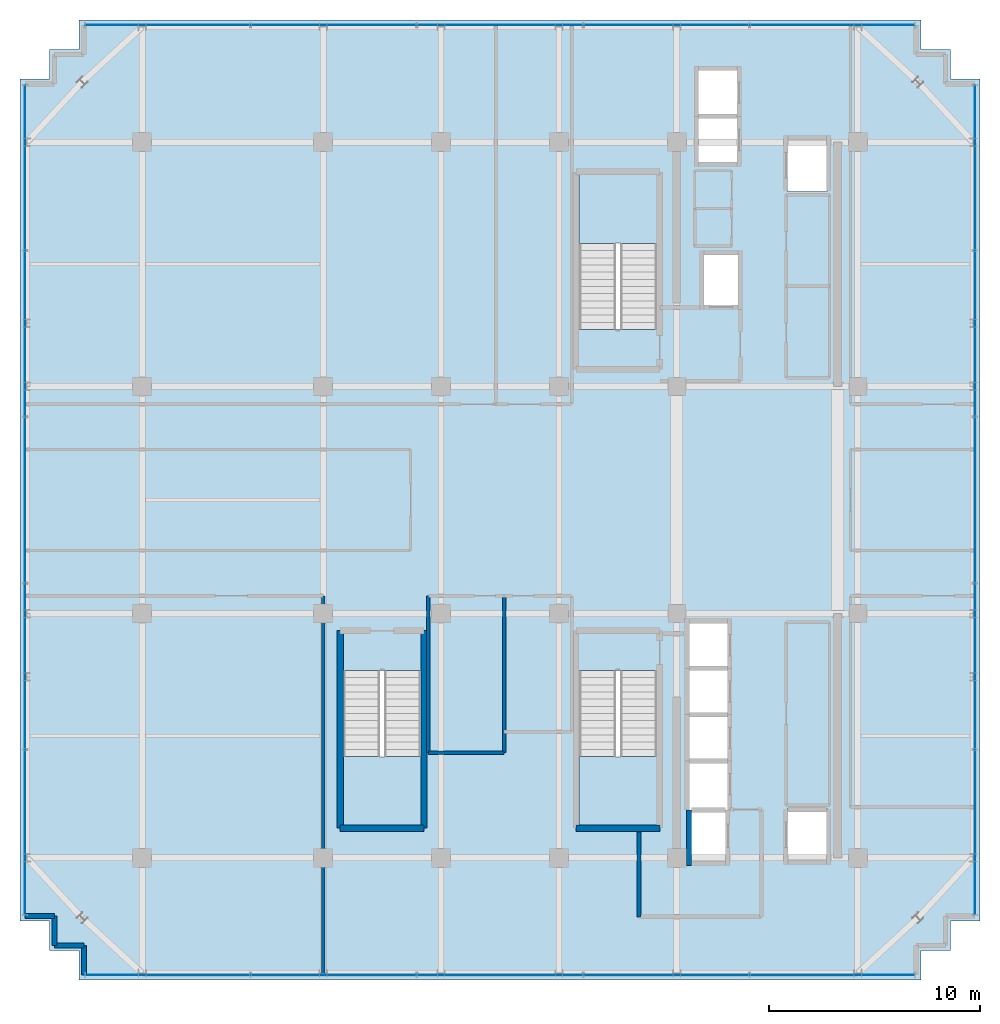
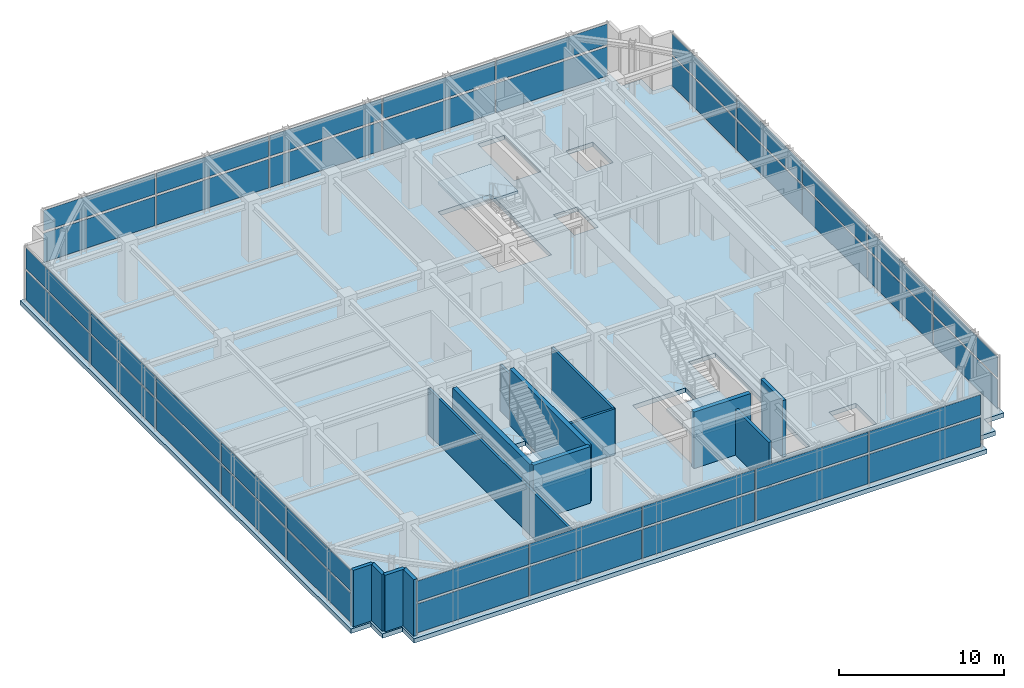
# One storey, part 16 of 20: 40 plates, 14 walls, 4 slabs, 7 elements without a shape of their own.
"""IFC4 building model written with IfcOpenShell, lengths in metres."""

from ifc_helpers import new_model, si_unit, direction, frame, frame_2d, origin, origin_2d, place, context, subcontext, project, spatial, polyline, rectangle, outline, extrude, source, transform, mapped, material, layer, layer_set, type_object, element, aggregate, save


model = new_model("IFC4")

# Units and contexts
model_context = context("Model", 3, precision=1e-05, world=origin(), true_north=direction((0.0, 1.0)))
body_context = subcontext(model_context, "Body", "Model", "MODEL_VIEW")
ifc_project = project(units=[si_unit("LENGTHUNIT", "METRE"), si_unit("AREAUNIT", "SQUARE_METRE"), si_unit("VOLUMEUNIT", "CUBIC_METRE"), si_unit("PLANEANGLEUNIT", "RADIAN"), si_unit("MASSUNIT", "GRAM", prefix="KILO")], contexts=[model_context])

# Site, building, storey
site_placement = place(None, origin())
site = spatial("IfcSite", under=ifc_project, at=site_placement, CompositionType="ELEMENT")
building_placement = place(site_placement, origin())
building = spatial("IfcBuilding", under=site, at=building_placement, Name="Nahalor Promenade Grand Hotel", CompositionType="ELEMENT")
storey_placement = place(building_placement, frame((0.0, 0.0, 347.550048828125)))
storey = spatial("IfcBuildingStorey", under=building, at=storey_placement, Name="L89", CompositionType="ELEMENT", Elevation=347.550048828125)

# Stair, slab
ifc_material_1 = material(Name="Concrete B-50 (C40/50)", Category="concrete")
stair_type_1 = type_object("IfcStairType", Name="Stair-ST1", PredefinedType="HALF_TURN_STAIR", material=ifc_material_1)
stair_1_placement = place(storey_placement, origin())
stair_1 = element("IfcStair", 1, at=stair_1_placement, inside=storey, type_object=stair_type_1, Name="L89 ST1", PredefinedType="HALF_TURN_STAIR")
ifc_layer_1 = layer(ifc_material_1, 0.199951171875)
ifc_layer_set_1 = layer_set([ifc_layer_1], Name="Concrete B-50 (C40/50)")
slab_type_1 = type_object("IfcSlabType", Name="Landing-ST1", PredefinedType="LANDING", material=ifc_layer_set_1)
slab_1_placement = place(storey_placement, frame((0.0, 0.0, 2.050048828125)))
slab_1 = element("IfcSlab", 2, at=slab_1_placement, type_object=slab_type_1, Name="ST1 landing 1", PredefinedType="LANDING", context=body_context, shape_type="SweptSolid", body=[
    extrude(outline(polyline([(7.449951171875, 12.179931640625), (7.449951171875, 15.449951171875), (3.75, 15.449951171875), (3.75, 12.179931640625), (7.449951171875, 12.179931640625)])), origin(), (0.0, 0.0, 1.0), 0.199951171875),
])
aggregate(stair_1, [slab_1])

stair_type_2 = type_object("IfcStairType", Name="Stair-ST2", PredefinedType="HALF_TURN_STAIR", material=ifc_material_1)
stair_2_placement = place(storey_placement, origin())
stair_2 = element("IfcStair", 3, at=stair_2_placement, inside=storey, type_object=stair_type_2, Name="L89 ST2", PredefinedType="HALF_TURN_STAIR")
ifc_layer_2 = layer(ifc_material_1, 0.2099609375)
ifc_layer_set_2 = layer_set([ifc_layer_2], Name="Concrete B-50 (C40/50)")
slab_type_2 = type_object("IfcSlabType", Name="Landing-ST2", PredefinedType="LANDING", material=ifc_layer_set_2)
slab_2_placement = place(storey_placement, frame((0.0, 0.0, 2.0400390625)))
slab_2 = element("IfcSlab", 4, at=slab_2_placement, type_object=slab_type_2, Name="ST2 landing 1", PredefinedType="LANDING", context=body_context, shape_type="SweptSolid", body=[
    extrude(outline(polyline([(3.75, -12.179931640625), (3.75, -15.449951171875), (7.449951171875, -15.449951171875), (7.449951171875, -12.179931640625), (3.75, -12.179931640625)])), origin(), (0.0, 0.0, 1.0), 0.2099609375),
])
aggregate(stair_2, [slab_2])

stair_type_3 = type_object("IfcStairType", Name="Stair-ST3", PredefinedType="HALF_TURN_STAIR", material=ifc_material_1)
stair_3_placement = place(storey_placement, origin())
stair_3 = element("IfcStair", 5, at=stair_3_placement, inside=storey, type_object=stair_type_3, Name="L89 ST3", PredefinedType="HALF_TURN_STAIR")
ifc_layer_3 = layer(ifc_material_1, 0.219970703125)
ifc_layer_set_3 = layer_set([ifc_layer_3], Name="Concrete B-50 (C40/50)")
slab_type_3 = type_object("IfcSlabType", Name="Landing-ST3", PredefinedType="LANDING", material=ifc_layer_set_3)
slab_3_placement = place(storey_placement, frame((0.0, 0.0, 2.030029296875)))
slab_3 = element("IfcSlab", 6, at=slab_3_placement, type_object=slab_type_3, Name="ST3 landing 1", PredefinedType="LANDING", context=body_context, shape_type="SweptSolid", body=[
    extrude(outline(polyline([(-7.449951171875, -12.179931640625), (-7.449951171875, -15.449951171875), (-3.75, -15.449951171875), (-3.75, -12.179931640625), (-7.449951171875, -12.179931640625)])), origin(), (0.0, 0.0, 1.0), 0.219970703125),
])
aggregate(stair_3, [slab_3])

# Slab
ifc_layer_4 = layer(ifc_material_1, 0.330078125)
ifc_layer_set_4 = layer_set([ifc_layer_4], Name="Concrete B-50 (C40/50)")
slab_type_4 = type_object("IfcSlabType", Name="Slab-Observation-330", PredefinedType="FLOOR", material=ifc_layer_set_4)
slab_4_placement = place(storey_placement, frame((0.0, 0.0, -0.330078125)))
element("IfcSlab", 7, at=slab_4_placement, inside=storey, type_object=slab_type_4, Name="L89 Suspended Structural Floor Slab", PredefinedType="FLOOR", context=body_context, shape_type="SweptSolid", body=[
    extrude(outline(polyline([(-20.0, -22.800048828125), (20.0, -22.800048828125), (20.0, -21.39990234375), (21.39990234375, -21.39990234375), (21.39990234375, -20.0), (22.800048828125, -20.0), (22.800048828125, 20.0), (21.39990234375, 20.0), (21.39990234375, 21.39990234375), (20.0, 21.39990234375), (20.0, 22.800048828125), (-20.0, 22.800048828125), (-20.0, 21.39990234375), (-21.39990234375, 21.39990234375), (-21.39990234375, 20.0), (-22.800048828125, 20.0), (-22.800048828125, -20.0), (-21.39990234375, -20.0), (-21.39990234375, -21.39990234375), (-20.0, -21.39990234375), (-20.0, -22.800048828125)]), holes=[polyline([(3.75, 8.10009765625), (7.449951171875, 8.10009765625), (7.449951171875, 15.449951171875), (3.75, 15.449951171875), (3.75, 8.10009765625)]), polyline([(3.75, -15.449951171875), (7.449951171875, -15.449951171875), (7.449951171875, -8.10009765625), (3.75, -8.10009765625), (3.75, -15.449951171875)]), polyline([(-7.449951171875, -15.449951171875), (-3.75, -15.449951171875), (-3.75, -8.10009765625), (-7.449951171875, -8.10009765625), (-7.449951171875, -15.449951171875)]), polyline([(8.9599609375, -17.18994140625), (10.840087890625, -17.18994140625), (10.840087890625, -5.81005859375), (8.9599609375, -5.81005859375), (8.9599609375, -17.18994140625)]), polyline([(9.409912109375, 16.010009765625), (11.2900390625, 16.010009765625), (11.2900390625, 20.43994140625), (9.409912109375, 20.43994140625), (9.409912109375, 16.010009765625)]), polyline([(9.659912109375, 9.2099609375), (11.340087890625, 9.2099609375), (11.340087890625, 11.68994140625), (9.659912109375, 11.68994140625), (9.659912109375, 9.2099609375)]), polyline([(13.659912109375, 14.659912109375), (15.5400390625, 14.659912109375), (15.5400390625, 17.139892578125), (13.659912109375, 17.139892578125), (13.659912109375, 14.659912109375)]), polyline([(13.659912109375, -17.139892578125), (15.5400390625, -17.139892578125), (15.5400390625, -14.659912109375), (13.659912109375, -14.659912109375), (13.659912109375, -17.139892578125)])]), origin(), (0.0, 0.0, 1.0), 0.330078125),
])

# Curtain wall, plates
ifc_material_2 = material(Name="Anodised Bronze Aluminium EN AW-6063 T6", Category="aluminium")
curtain_wall_type = type_object("IfcCurtainWallType", Name="CW5 Sky-Lobby & Observation Panoramic Curtain Wall", PredefinedType="USERDEFINED", material=ifc_material_2)
curtain_wall_1_placement = place(storey_placement, origin())
curtain_wall_1 = element("IfcCurtainWall", 8, at=curtain_wall_1_placement, inside=storey, type_object=curtain_wall_type, Name="L89 Curtain Wall CW-L89-S-1", ObjectType="UNITISED_CURTAIN_WALL", PredefinedType="USERDEFINED")
ifc_material_3 = material(Name="Low-E Laminated Solar Glass", Category="glass")
ifc_layer_5 = layer(ifc_material_3, 0.035888671875)
ifc_layer_set_5 = layer_set([ifc_layer_5], Name="Low-E Laminated Solar Glass")
plate_type = type_object("IfcPlateType", Name="CWP5 Observation Acoustic Triple IGU 36mm", PredefinedType="CURTAIN_PANEL", material=ifc_layer_set_5)
shared_shape_1 = source(origin(), body_context, "Body", "SweptSolid", [
    extrude(rectangle(XDim=7.776611328125, YDim=0.035888671875, at=origin_2d()), origin(), (0.0, 0.0, 1.0), 2.14501953125),
])
plate_1_placement = place(storey_placement, frame((-15.786865234375, -22.56005859375, 0.169921875), z_axis=(0.0, 0.0, 1.0), x_axis=(1.0, 0.0, 0.0)))
plate_1 = element("IfcPlate", 9, at=plate_1_placement, type_object=plate_type, Name="CW-L89-S-1 Glazing Panel 0-0", PredefinedType="CURTAIN_PANEL", context=body_context, shape_type="MappedRepresentation", body=[
    mapped(shared_shape_1, transform((0.0, 0.0, 0.0), scale=1.0)),
])
plate_2_placement = place(storey_placement, frame((15.786865234375, -22.56005859375, 0.169921875), z_axis=(0.0, 0.0, 1.0), x_axis=(1.0, 0.0, 0.0)))
plate_2 = element("IfcPlate", 10, at=plate_2_placement, type_object=plate_type, Name="CW-L89-S-1 Glazing Panel 4-0", PredefinedType="CURTAIN_PANEL", context=body_context, shape_type="MappedRepresentation", body=[
    mapped(shared_shape_1, transform((0.0, 0.0, 0.0), scale=1.0)),
])

curtain_wall_2_placement = place(storey_placement, origin())
curtain_wall_2 = element("IfcCurtainWall", 11, at=curtain_wall_2_placement, inside=storey, type_object=curtain_wall_type, Name="L89 Curtain Wall CW-L89-N-1", ObjectType="UNITISED_CURTAIN_WALL", PredefinedType="USERDEFINED")
plate_3_placement = place(storey_placement, frame((-15.786865234375, 22.56005859375, 0.169921875), z_axis=(0.0, 0.0, 1.0), x_axis=(1.0, 0.0, 0.0)))
plate_3 = element("IfcPlate", 12, at=plate_3_placement, type_object=plate_type, Name="CW-L89-N-1 Glazing Panel 0-0", PredefinedType="CURTAIN_PANEL", context=body_context, shape_type="MappedRepresentation", body=[
    mapped(shared_shape_1, transform((0.0, 0.0, 0.0), scale=1.0)),
])
plate_4_placement = place(storey_placement, frame((15.786865234375, 22.56005859375, 0.169921875), z_axis=(0.0, 0.0, 1.0), x_axis=(1.0, 0.0, 0.0)))
plate_4 = element("IfcPlate", 13, at=plate_4_placement, type_object=plate_type, Name="CW-L89-N-1 Glazing Panel 4-0", PredefinedType="CURTAIN_PANEL", context=body_context, shape_type="MappedRepresentation", body=[
    mapped(shared_shape_1, transform((0.0, 0.0, 0.0), scale=1.0)),
])

curtain_wall_3_placement = place(storey_placement, origin())
curtain_wall_3 = element("IfcCurtainWall", 14, at=curtain_wall_3_placement, inside=storey, type_object=curtain_wall_type, Name="L89 Curtain Wall CW-L89-W-1", ObjectType="UNITISED_CURTAIN_WALL", PredefinedType="USERDEFINED")
plate_5_placement = place(storey_placement, frame((-22.56005859375, -15.786865234375, 0.169921875), z_axis=(0.0, 0.0, 1.0), x_axis=(0.0, 1.0, 0.0)))
plate_5 = element("IfcPlate", 15, at=plate_5_placement, type_object=plate_type, Name="CW-L89-W-1 Glazing Panel 0-0", PredefinedType="CURTAIN_PANEL", context=body_context, shape_type="MappedRepresentation", body=[
    mapped(shared_shape_1, transform((0.0, 0.0, 0.0), scale=1.0)),
])
plate_6_placement = place(storey_placement, frame((-22.56005859375, 15.786865234375, 0.169921875), z_axis=(0.0, 0.0, 1.0), x_axis=(0.0, 1.0, 0.0)))
plate_6 = element("IfcPlate", 16, at=plate_6_placement, type_object=plate_type, Name="CW-L89-W-1 Glazing Panel 4-0", PredefinedType="CURTAIN_PANEL", context=body_context, shape_type="MappedRepresentation", body=[
    mapped(shared_shape_1, transform((0.0, 0.0, 0.0), scale=1.0)),
])

curtain_wall_4_placement = place(storey_placement, origin())
curtain_wall_4 = element("IfcCurtainWall", 17, at=curtain_wall_4_placement, inside=storey, type_object=curtain_wall_type, Name="L89 Curtain Wall CW-L89-E-1", ObjectType="UNITISED_CURTAIN_WALL", PredefinedType="USERDEFINED")
plate_7_placement = place(storey_placement, frame((22.56005859375, -15.786865234375, 0.169921875), z_axis=(0.0, 0.0, 1.0), x_axis=(0.0, 1.0, 0.0)))
plate_7 = element("IfcPlate", 18, at=plate_7_placement, type_object=plate_type, Name="CW-L89-E-1 Glazing Panel 0-0", PredefinedType="CURTAIN_PANEL", context=body_context, shape_type="MappedRepresentation", body=[
    mapped(shared_shape_1, transform((0.0, 0.0, 0.0), scale=1.0)),
])
plate_8_placement = place(storey_placement, frame((22.56005859375, 15.786865234375, 0.169921875), z_axis=(0.0, 0.0, 1.0), x_axis=(0.0, 1.0, 0.0)))
plate_8 = element("IfcPlate", 19, at=plate_8_placement, type_object=plate_type, Name="CW-L89-E-1 Glazing Panel 4-0", PredefinedType="CURTAIN_PANEL", context=body_context, shape_type="MappedRepresentation", body=[
    mapped(shared_shape_1, transform((0.0, 0.0, 0.0), scale=1.0)),
])

# Plate
shared_shape_2 = source(origin(), body_context, "Body", "SweptSolid", [
    extrude(rectangle(XDim=7.776611328125, YDim=0.035888671875, at=origin_2d()), origin(), (0.0, 0.0, 1.0), 1.514892578125),
])
plate_9_placement = place(storey_placement, frame((-15.786865234375, -22.56005859375, 2.48486328125), z_axis=(0.0, 0.0, 1.0), x_axis=(1.0, 0.0, 0.0)))
plate_9 = element("IfcPlate", 20, at=plate_9_placement, type_object=plate_type, Name="CW-L89-S-1 Glazing Panel 0-1", PredefinedType="CURTAIN_PANEL", context=body_context, shape_type="MappedRepresentation", body=[
    mapped(shared_shape_2, transform((0.0, 0.0, 0.0), scale=1.0)),
])

plate_10_placement = place(storey_placement, frame((15.786865234375, -22.56005859375, 2.48486328125), z_axis=(0.0, 0.0, 1.0), x_axis=(1.0, 0.0, 0.0)))
plate_10 = element("IfcPlate", 21, at=plate_10_placement, type_object=plate_type, Name="CW-L89-S-1 Glazing Panel 4-1", PredefinedType="CURTAIN_PANEL", context=body_context, shape_type="MappedRepresentation", body=[
    mapped(shared_shape_2, transform((0.0, 0.0, 0.0), scale=1.0)),
])

plate_11_placement = place(storey_placement, frame((-15.786865234375, 22.56005859375, 2.48486328125), z_axis=(0.0, 0.0, 1.0), x_axis=(1.0, 0.0, 0.0)))
plate_11 = element("IfcPlate", 22, at=plate_11_placement, type_object=plate_type, Name="CW-L89-N-1 Glazing Panel 0-1", PredefinedType="CURTAIN_PANEL", context=body_context, shape_type="MappedRepresentation", body=[
    mapped(shared_shape_2, transform((0.0, 0.0, 0.0), scale=1.0)),
])

plate_12_placement = place(storey_placement, frame((15.786865234375, 22.56005859375, 2.48486328125), z_axis=(0.0, 0.0, 1.0), x_axis=(1.0, 0.0, 0.0)))
plate_12 = element("IfcPlate", 23, at=plate_12_placement, type_object=plate_type, Name="CW-L89-N-1 Glazing Panel 4-1", PredefinedType="CURTAIN_PANEL", context=body_context, shape_type="MappedRepresentation", body=[
    mapped(shared_shape_2, transform((0.0, 0.0, 0.0), scale=1.0)),
])

plate_13_placement = place(storey_placement, frame((-22.56005859375, -15.786865234375, 2.48486328125), z_axis=(0.0, 0.0, 1.0), x_axis=(0.0, 1.0, 0.0)))
plate_13 = element("IfcPlate", 24, at=plate_13_placement, type_object=plate_type, Name="CW-L89-W-1 Glazing Panel 0-1", PredefinedType="CURTAIN_PANEL", context=body_context, shape_type="MappedRepresentation", body=[
    mapped(shared_shape_2, transform((0.0, 0.0, 0.0), scale=1.0)),
])

plate_14_placement = place(storey_placement, frame((-22.56005859375, 15.786865234375, 2.48486328125), z_axis=(0.0, 0.0, 1.0), x_axis=(0.0, 1.0, 0.0)))
plate_14 = element("IfcPlate", 25, at=plate_14_placement, type_object=plate_type, Name="CW-L89-W-1 Glazing Panel 4-1", PredefinedType="CURTAIN_PANEL", context=body_context, shape_type="MappedRepresentation", body=[
    mapped(shared_shape_2, transform((0.0, 0.0, 0.0), scale=1.0)),
])

plate_15_placement = place(storey_placement, frame((22.56005859375, -15.786865234375, 2.48486328125), z_axis=(0.0, 0.0, 1.0), x_axis=(0.0, 1.0, 0.0)))
plate_15 = element("IfcPlate", 26, at=plate_15_placement, type_object=plate_type, Name="CW-L89-E-1 Glazing Panel 0-1", PredefinedType="CURTAIN_PANEL", context=body_context, shape_type="MappedRepresentation", body=[
    mapped(shared_shape_2, transform((0.0, 0.0, 0.0), scale=1.0)),
])

plate_16_placement = place(storey_placement, frame((22.56005859375, 15.786865234375, 2.48486328125), z_axis=(0.0, 0.0, 1.0), x_axis=(0.0, 1.0, 0.0)))
plate_16 = element("IfcPlate", 27, at=plate_16_placement, type_object=plate_type, Name="CW-L89-E-1 Glazing Panel 4-1", PredefinedType="CURTAIN_PANEL", context=body_context, shape_type="MappedRepresentation", body=[
    mapped(shared_shape_2, transform((0.0, 0.0, 0.0), scale=1.0)),
])

shared_shape_3 = source(origin(), body_context, "Body", "SweptSolid", [
    extrude(rectangle(XDim=7.819091796875, YDim=0.035888671875, at=origin_2d()), origin(), (0.0, 0.0, 1.0), 2.14501953125),
])
plate_17_placement = place(storey_placement, frame((-7.904052734375, -22.56005859375, 0.169921875), z_axis=(0.0, 0.0, 1.0), x_axis=(1.0, 0.0, 0.0)))
plate_17 = element("IfcPlate", 28, at=plate_17_placement, type_object=plate_type, Name="CW-L89-S-1 Glazing Panel 1-0", PredefinedType="CURTAIN_PANEL", context=body_context, shape_type="MappedRepresentation", body=[
    mapped(shared_shape_3, transform((0.0, 0.0, 0.0), scale=1.0)),
])

plate_18_placement = place(storey_placement, frame((0.0, -22.56005859375, 0.169921875), z_axis=(0.0, 0.0, 1.0), x_axis=(1.0, 0.0, 0.0)))
plate_18 = element("IfcPlate", 29, at=plate_18_placement, type_object=plate_type, Name="CW-L89-S-1 Glazing Panel 2-0", PredefinedType="CURTAIN_PANEL", context=body_context, shape_type="MappedRepresentation", body=[
    mapped(shared_shape_3, transform((0.0, 0.0, 0.0), scale=1.0)),
])

plate_19_placement = place(storey_placement, frame((7.904052734375, -22.56005859375, 0.169921875), z_axis=(0.0, 0.0, 1.0), x_axis=(1.0, 0.0, 0.0)))
plate_19 = element("IfcPlate", 30, at=plate_19_placement, type_object=plate_type, Name="CW-L89-S-1 Glazing Panel 3-0", PredefinedType="CURTAIN_PANEL", context=body_context, shape_type="MappedRepresentation", body=[
    mapped(shared_shape_3, transform((0.0, 0.0, 0.0), scale=1.0)),
])

plate_20_placement = place(storey_placement, frame((-7.904052734375, 22.56005859375, 0.169921875), z_axis=(0.0, 0.0, 1.0), x_axis=(1.0, 0.0, 0.0)))
plate_20 = element("IfcPlate", 31, at=plate_20_placement, type_object=plate_type, Name="CW-L89-N-1 Glazing Panel 1-0", PredefinedType="CURTAIN_PANEL", context=body_context, shape_type="MappedRepresentation", body=[
    mapped(shared_shape_3, transform((0.0, 0.0, 0.0), scale=1.0)),
])

plate_21_placement = place(storey_placement, frame((0.0, 22.56005859375, 0.169921875), z_axis=(0.0, 0.0, 1.0), x_axis=(1.0, 0.0, 0.0)))
plate_21 = element("IfcPlate", 32, at=plate_21_placement, type_object=plate_type, Name="CW-L89-N-1 Glazing Panel 2-0", PredefinedType="CURTAIN_PANEL", context=body_context, shape_type="MappedRepresentation", body=[
    mapped(shared_shape_3, transform((0.0, 0.0, 0.0), scale=1.0)),
])

plate_22_placement = place(storey_placement, frame((7.904052734375, 22.56005859375, 0.169921875), z_axis=(0.0, 0.0, 1.0), x_axis=(1.0, 0.0, 0.0)))
plate_22 = element("IfcPlate", 33, at=plate_22_placement, type_object=plate_type, Name="CW-L89-N-1 Glazing Panel 3-0", PredefinedType="CURTAIN_PANEL", context=body_context, shape_type="MappedRepresentation", body=[
    mapped(shared_shape_3, transform((0.0, 0.0, 0.0), scale=1.0)),
])

plate_23_placement = place(storey_placement, frame((-22.56005859375, -7.904052734375, 0.169921875), z_axis=(0.0, 0.0, 1.0), x_axis=(0.0, 1.0, 0.0)))
plate_23 = element("IfcPlate", 34, at=plate_23_placement, type_object=plate_type, Name="CW-L89-W-1 Glazing Panel 1-0", PredefinedType="CURTAIN_PANEL", context=body_context, shape_type="MappedRepresentation", body=[
    mapped(shared_shape_3, transform((0.0, 0.0, 0.0), scale=1.0)),
])

plate_24_placement = place(storey_placement, frame((-22.56005859375, 0.0, 0.169921875), z_axis=(0.0, 0.0, 1.0), x_axis=(0.0, 1.0, 0.0)))
plate_24 = element("IfcPlate", 35, at=plate_24_placement, type_object=plate_type, Name="CW-L89-W-1 Glazing Panel 2-0", PredefinedType="CURTAIN_PANEL", context=body_context, shape_type="MappedRepresentation", body=[
    mapped(shared_shape_3, transform((0.0, 0.0, 0.0), scale=1.0)),
])

plate_25_placement = place(storey_placement, frame((-22.56005859375, 7.904052734375, 0.169921875), z_axis=(0.0, 0.0, 1.0), x_axis=(0.0, 1.0, 0.0)))
plate_25 = element("IfcPlate", 36, at=plate_25_placement, type_object=plate_type, Name="CW-L89-W-1 Glazing Panel 3-0", PredefinedType="CURTAIN_PANEL", context=body_context, shape_type="MappedRepresentation", body=[
    mapped(shared_shape_3, transform((0.0, 0.0, 0.0), scale=1.0)),
])

plate_26_placement = place(storey_placement, frame((22.56005859375, -7.904052734375, 0.169921875), z_axis=(0.0, 0.0, 1.0), x_axis=(0.0, 1.0, 0.0)))
plate_26 = element("IfcPlate", 37, at=plate_26_placement, type_object=plate_type, Name="CW-L89-E-1 Glazing Panel 1-0", PredefinedType="CURTAIN_PANEL", context=body_context, shape_type="MappedRepresentation", body=[
    mapped(shared_shape_3, transform((0.0, 0.0, 0.0), scale=1.0)),
])

plate_27_placement = place(storey_placement, frame((22.56005859375, 0.0, 0.169921875), z_axis=(0.0, 0.0, 1.0), x_axis=(0.0, 1.0, 0.0)))
plate_27 = element("IfcPlate", 38, at=plate_27_placement, type_object=plate_type, Name="CW-L89-E-1 Glazing Panel 2-0", PredefinedType="CURTAIN_PANEL", context=body_context, shape_type="MappedRepresentation", body=[
    mapped(shared_shape_3, transform((0.0, 0.0, 0.0), scale=1.0)),
])

plate_28_placement = place(storey_placement, frame((22.56005859375, 7.904052734375, 0.169921875), z_axis=(0.0, 0.0, 1.0), x_axis=(0.0, 1.0, 0.0)))
plate_28 = element("IfcPlate", 39, at=plate_28_placement, type_object=plate_type, Name="CW-L89-E-1 Glazing Panel 3-0", PredefinedType="CURTAIN_PANEL", context=body_context, shape_type="MappedRepresentation", body=[
    mapped(shared_shape_3, transform((0.0, 0.0, 0.0), scale=1.0)),
])

shared_shape_4 = source(origin(), body_context, "Body", "SweptSolid", [
    extrude(rectangle(XDim=7.819091796875, YDim=0.035888671875, at=origin_2d()), origin(), (0.0, 0.0, 1.0), 1.514892578125),
])
plate_29_placement = place(storey_placement, frame((-7.904052734375, -22.56005859375, 2.48486328125), z_axis=(0.0, 0.0, 1.0), x_axis=(1.0, 0.0, 0.0)))
plate_29 = element("IfcPlate", 40, at=plate_29_placement, type_object=plate_type, Name="CW-L89-S-1 Glazing Panel 1-1", PredefinedType="CURTAIN_PANEL", context=body_context, shape_type="MappedRepresentation", body=[
    mapped(shared_shape_4, transform((0.0, 0.0, 0.0), scale=1.0)),
])

plate_30_placement = place(storey_placement, frame((0.0, -22.56005859375, 2.48486328125), z_axis=(0.0, 0.0, 1.0), x_axis=(1.0, 0.0, 0.0)))
plate_30 = element("IfcPlate", 41, at=plate_30_placement, type_object=plate_type, Name="CW-L89-S-1 Glazing Panel 2-1", PredefinedType="CURTAIN_PANEL", context=body_context, shape_type="MappedRepresentation", body=[
    mapped(shared_shape_4, transform((0.0, 0.0, 0.0), scale=1.0)),
])

plate_31_placement = place(storey_placement, frame((7.904052734375, -22.56005859375, 2.48486328125), z_axis=(0.0, 0.0, 1.0), x_axis=(1.0, 0.0, 0.0)))
plate_31 = element("IfcPlate", 42, at=plate_31_placement, type_object=plate_type, Name="CW-L89-S-1 Glazing Panel 3-1", PredefinedType="CURTAIN_PANEL", context=body_context, shape_type="MappedRepresentation", body=[
    mapped(shared_shape_4, transform((0.0, 0.0, 0.0), scale=1.0)),
])

aggregate(curtain_wall_1, [plate_1, plate_9, plate_17, plate_29, plate_18, plate_30, plate_19, plate_31, plate_2, plate_10])

plate_32_placement = place(storey_placement, frame((-7.904052734375, 22.56005859375, 2.48486328125), z_axis=(0.0, 0.0, 1.0), x_axis=(1.0, 0.0, 0.0)))
plate_32 = element("IfcPlate", 43, at=plate_32_placement, type_object=plate_type, Name="CW-L89-N-1 Glazing Panel 1-1", PredefinedType="CURTAIN_PANEL", context=body_context, shape_type="MappedRepresentation", body=[
    mapped(shared_shape_4, transform((0.0, 0.0, 0.0), scale=1.0)),
])

plate_33_placement = place(storey_placement, frame((0.0, 22.56005859375, 2.48486328125), z_axis=(0.0, 0.0, 1.0), x_axis=(1.0, 0.0, 0.0)))
plate_33 = element("IfcPlate", 44, at=plate_33_placement, type_object=plate_type, Name="CW-L89-N-1 Glazing Panel 2-1", PredefinedType="CURTAIN_PANEL", context=body_context, shape_type="MappedRepresentation", body=[
    mapped(shared_shape_4, transform((0.0, 0.0, 0.0), scale=1.0)),
])

plate_34_placement = place(storey_placement, frame((7.904052734375, 22.56005859375, 2.48486328125), z_axis=(0.0, 0.0, 1.0), x_axis=(1.0, 0.0, 0.0)))
plate_34 = element("IfcPlate", 45, at=plate_34_placement, type_object=plate_type, Name="CW-L89-N-1 Glazing Panel 3-1", PredefinedType="CURTAIN_PANEL", context=body_context, shape_type="MappedRepresentation", body=[
    mapped(shared_shape_4, transform((0.0, 0.0, 0.0), scale=1.0)),
])

aggregate(curtain_wall_2, [plate_3, plate_11, plate_20, plate_32, plate_21, plate_33, plate_22, plate_34, plate_4, plate_12])

plate_35_placement = place(storey_placement, frame((-22.56005859375, -7.904052734375, 2.48486328125), z_axis=(0.0, 0.0, 1.0), x_axis=(0.0, 1.0, 0.0)))
plate_35 = element("IfcPlate", 46, at=plate_35_placement, type_object=plate_type, Name="CW-L89-W-1 Glazing Panel 1-1", PredefinedType="CURTAIN_PANEL", context=body_context, shape_type="MappedRepresentation", body=[
    mapped(shared_shape_4, transform((0.0, 0.0, 0.0), scale=1.0)),
])

plate_36_placement = place(storey_placement, frame((-22.56005859375, 0.0, 2.48486328125), z_axis=(0.0, 0.0, 1.0), x_axis=(0.0, 1.0, 0.0)))
plate_36 = element("IfcPlate", 47, at=plate_36_placement, type_object=plate_type, Name="CW-L89-W-1 Glazing Panel 2-1", PredefinedType="CURTAIN_PANEL", context=body_context, shape_type="MappedRepresentation", body=[
    mapped(shared_shape_4, transform((0.0, 0.0, 0.0), scale=1.0)),
])

plate_37_placement = place(storey_placement, frame((-22.56005859375, 7.904052734375, 2.48486328125), z_axis=(0.0, 0.0, 1.0), x_axis=(0.0, 1.0, 0.0)))
plate_37 = element("IfcPlate", 48, at=plate_37_placement, type_object=plate_type, Name="CW-L89-W-1 Glazing Panel 3-1", PredefinedType="CURTAIN_PANEL", context=body_context, shape_type="MappedRepresentation", body=[
    mapped(shared_shape_4, transform((0.0, 0.0, 0.0), scale=1.0)),
])

aggregate(curtain_wall_3, [plate_5, plate_13, plate_23, plate_35, plate_24, plate_36, plate_25, plate_37, plate_6, plate_14])

plate_38_placement = place(storey_placement, frame((22.56005859375, -7.904052734375, 2.48486328125), z_axis=(0.0, 0.0, 1.0), x_axis=(0.0, 1.0, 0.0)))
plate_38 = element("IfcPlate", 49, at=plate_38_placement, type_object=plate_type, Name="CW-L89-E-1 Glazing Panel 1-1", PredefinedType="CURTAIN_PANEL", context=body_context, shape_type="MappedRepresentation", body=[
    mapped(shared_shape_4, transform((0.0, 0.0, 0.0), scale=1.0)),
])

plate_39_placement = place(storey_placement, frame((22.56005859375, 0.0, 2.48486328125), z_axis=(0.0, 0.0, 1.0), x_axis=(0.0, 1.0, 0.0)))
plate_39 = element("IfcPlate", 50, at=plate_39_placement, type_object=plate_type, Name="CW-L89-E-1 Glazing Panel 2-1", PredefinedType="CURTAIN_PANEL", context=body_context, shape_type="MappedRepresentation", body=[
    mapped(shared_shape_4, transform((0.0, 0.0, 0.0), scale=1.0)),
])

plate_40_placement = place(storey_placement, frame((22.56005859375, 7.904052734375, 2.48486328125), z_axis=(0.0, 0.0, 1.0), x_axis=(0.0, 1.0, 0.0)))
plate_40 = element("IfcPlate", 51, at=plate_40_placement, type_object=plate_type, Name="CW-L89-E-1 Glazing Panel 3-1", PredefinedType="CURTAIN_PANEL", context=body_context, shape_type="MappedRepresentation", body=[
    mapped(shared_shape_4, transform((0.0, 0.0, 0.0), scale=1.0)),
])

aggregate(curtain_wall_4, [plate_7, plate_15, plate_26, plate_38, plate_27, plate_39, plate_28, plate_40, plate_8, plate_16])

# Walls
ifc_layer_6 = layer(ifc_material_1, 0.300048828125)
ifc_layer_set_6 = layer_set([ifc_layer_6], Name="Concrete B-50 (C40/50)")
wall_type_1 = type_object("IfcWallType", Name="Wall-ShaftShear-300", PredefinedType="SHEAR", material=ifc_layer_set_6)
shared_shape_5 = source(origin(), body_context, "Body", "SweptSolid", [
    extrude(rectangle(XDim=3.97998046875, YDim=0.300048828125, at=frame_2d((1.989990234375, 0.0))), origin(), (0.0, 0.0, 1.0), 4.169921875),
])
for number, where, z_axis, x_axis, name in (
    (52, (3.610107421875, -15.590087890625, 0.0), (0.0, 0.0, 1.0), (1.0, 0.0, 0.0), "L89 Exit Stair ST2 Shaft Wall S"),
    (53, (-7.590087890625, -15.590087890625, 0.0), (0.0, 0.0, 1.0), (1.0, 0.0, 0.0), "L89 Exit Stair ST3 Shaft Wall S"),
):
    element("IfcWall", number, at=place(storey_placement, frame(where, z_axis=z_axis, x_axis=x_axis)), inside=storey, type_object=wall_type_1, Name=name, PredefinedType="SHEAR", context=body_context, shape_type="MappedRepresentation", body=[
        mapped(shared_shape_5, transform((0.0, 0.0, 0.0), scale=1.0)),
    ])
shared_shape_6 = source(origin(), body_context, "Body", "SweptSolid", [
    extrude(rectangle(XDim=9.380126953125, YDim=0.300048828125, at=frame_2d((4.68994140625, 0.0))), origin(), (0.0, 0.0, 1.0), 4.169921875),
])
for number, where, z_axis, x_axis, name in (
    (54, (-7.590087890625, -15.590087890625, 0.0), (0.0, 0.0, 1.0), (0.0, 1.0, 0.0), "L89 Exit Stair ST3 Shaft Wall W"),
    (55, (-3.610107421875, -15.590087890625, 0.0), (0.0, 0.0, 1.0), (0.0, 1.0, 0.0), "L89 Exit Stair ST3 Shaft Wall E"),
):
    element("IfcWall", number, at=place(storey_placement, frame(where, z_axis=z_axis, x_axis=x_axis)), inside=storey, type_object=wall_type_1, Name=name, PredefinedType="SHEAR", context=body_context, shape_type="MappedRepresentation", body=[
        mapped(shared_shape_6, transform((0.0, 0.0, 0.0), scale=1.0)),
    ])
ifc_layer_7 = layer(ifc_material_1, 0.219970703125)
ifc_layer_set_7 = layer_set([ifc_layer_7], Name="Concrete B-50 (C40/50)")
wall_type_2 = type_object("IfcWallType", Name="Wall-LiftShaft-220", PredefinedType="SHEAR", material=ifc_layer_set_7)
shared_shape_7 = source(origin(), body_context, "Body", "SweptSolid", [
    extrude(rectangle(XDim=2.635009765625, YDim=0.219970703125, at=frame_2d((1.3173828125, 0.0))), origin(), (0.0, 0.0, 1.0), 4.169921875),
])
wall_1_placement = place(storey_placement, frame((8.97998046875, -17.360107421875, 0.0), z_axis=(0.0, 0.0, 1.0), x_axis=(0.0, 1.0, 0.0)))
element("IfcWall", 56, at=wall_1_placement, inside=storey, type_object=wall_type_2, Name="L89 Lift FL2 Hoistway Wall W", PredefinedType="SHEAR", context=body_context, shape_type="MappedRepresentation", body=[
    mapped(shared_shape_7, transform((0.0, 0.0, 0.0), scale=1.0)),
])
ifc_material_4 = material(Name="Concrete B-40 (C32/40)", Category="concrete")
ifc_layer_8 = layer(ifc_material_4, 0.25)
ifc_layer_set_8 = layer_set([ifc_layer_8], Name="Concrete B-40 (C32/40)")
wall_type_3 = type_object("IfcWallType", Name="Wall-BronzePier-250", PredefinedType="STANDARD", material=ifc_layer_set_8)
shared_shape_8 = source(origin(), body_context, "Body", "SweptSolid", [
    extrude(rectangle(XDim=1.400146484375, YDim=0.25, at=frame_2d((0.7001953125, 0.0))), origin(), (0.0, 0.0, 1.0), 4.169921875),
])
for number, where, z_axis, x_axis, name in (
    (57, (-22.56005859375, -19.760009765625, 0.0), (0.0, 0.0, 1.0), (1.0, 0.0, 0.0), "W-L89-SR-13"),
    (58, (-19.760009765625, -22.56005859375, 0.0), (0.0, 0.0, 1.0), (0.0, 1.0, 0.0), "W-L89-SR-16"),
):
    element("IfcWall", number, at=place(storey_placement, frame(where, z_axis=z_axis, x_axis=x_axis)), inside=storey, type_object=wall_type_3, Name=name, PredefinedType="STANDARD", context=body_context, shape_type="MappedRepresentation", body=[
        mapped(shared_shape_8, transform((0.0, 0.0, 0.0), scale=1.0)),
    ])
shared_shape_9 = source(origin(), body_context, "Body", "SweptSolid", [
    extrude(rectangle(XDim=1.39990234375, YDim=0.25, at=frame_2d((0.699951171875, 0.0))), origin(), (0.0, 0.0, 1.0), 4.169921875),
])
for number, where, z_axis, x_axis, name in (
    (59, (-21.159912109375, -21.159912109375, 0.0), (0.0, 0.0, 1.0), (0.0, 1.0, 0.0), "W-L89-SR-14"),
    (60, (-21.159912109375, -21.159912109375, 0.0), (0.0, 0.0, 1.0), (1.0, 0.0, 0.0), "W-L89-SR-15"),
):
    element("IfcWall", number, at=place(storey_placement, frame(where, z_axis=z_axis, x_axis=x_axis)), inside=storey, type_object=wall_type_3, Name=name, PredefinedType="STANDARD", context=body_context, shape_type="MappedRepresentation", body=[
        mapped(shared_shape_9, transform((0.0, 0.0, 0.0), scale=1.0)),
    ])
ifc_layer_9 = layer(ifc_material_4, 0.199951171875)
ifc_layer_set_9 = layer_set([ifc_layer_9], Name="Concrete B-40 (C32/40)")
wall_type_4 = type_object("IfcWallType", Name="Wall-PartFire-200", PredefinedType="PARTITIONING", material=ifc_layer_set_9)
shared_shape_10 = source(origin(), body_context, "Body", "SweptSolid", [
    extrude(rectangle(XDim=4.030029296875, YDim=0.199951171875, at=frame_2d((2.01513671875, 0.0))), origin(), (0.0, 0.0, 1.0), 3.39990234375),
])
wall_2_placement = place(storey_placement, frame((6.60009765625, -19.800048828125, 0.0), z_axis=(0.0, 0.0, 1.0), x_axis=(0.0, 1.0, 0.0)))
element("IfcWall", 61, at=wall_2_placement, inside=storey, type_object=wall_type_4, Name="W-L89-FF2-W1", PredefinedType="PARTITIONING", context=body_context, shape_type="MappedRepresentation", body=[
    mapped(shared_shape_10, transform((0.0, 0.0, 0.0), scale=1.0)),
])
ifc_material_5 = material(Name="Acoustic Mineral Gypsum", Category="gypsum")
ifc_layer_10 = layer(ifc_material_5, 0.159912109375)
ifc_layer_set_10 = layer_set([ifc_layer_10], Name="Acoustic Mineral Gypsum")
wall_type_5 = type_object("IfcWallType", Name="Wall-PartCorridor-160", PredefinedType="PARTITIONING", material=ifc_layer_set_10)
shared_shape_11 = source(origin(), body_context, "Body", "SweptSolid", [
    extrude(rectangle(XDim=7.449951171875, YDim=0.159912109375, at=frame_2d((3.72509765625, 0.0))), origin(), (0.0, 0.0, 1.0), 3.39990234375),
])
for number, where, z_axis, x_axis, name in (
    (62, (-3.39990234375, -12.0, 0.0), (0.0, 0.0, 1.0), (0.0, 1.0, 0.0), "W-L89-SK08-W"),
    (63, (0.199951171875, -12.0, 0.0), (0.0, 0.0, 1.0), (0.0, 1.0, 0.0), "W-L89-SK08-E"),
):
    element("IfcWall", number, at=place(storey_placement, frame(where, z_axis=z_axis, x_axis=x_axis)), inside=storey, type_object=wall_type_5, Name=name, PredefinedType="PARTITIONING", context=body_context, shape_type="MappedRepresentation", body=[
        mapped(shared_shape_11, transform((0.0, 0.0, 0.0), scale=1.0)),
    ])
shared_shape_12 = source(origin(), body_context, "Body", "SweptSolid", [
    extrude(rectangle(XDim=17.949951171875, YDim=0.159912109375, at=frame_2d((8.97509765625, 0.0))), origin(), (0.0, 0.0, 1.0), 3.39990234375),
])
wall_3_placement = place(storey_placement, frame((-8.39990234375, -22.5, 0.0), z_axis=(0.0, 0.0, 1.0), x_axis=(0.0, 1.0, 0.0)))
element("IfcWall", 64, at=wall_3_placement, inside=storey, type_object=wall_type_5, Name="W-L89-SK05-E", PredefinedType="PARTITIONING", context=body_context, shape_type="MappedRepresentation", body=[
    mapped(shared_shape_12, transform((0.0, 0.0, 0.0), scale=1.0)),
])
shared_shape_13 = source(origin(), body_context, "Body", "SweptSolid", [
    extrude(rectangle(XDim=3.599853515625, YDim=0.159912109375, at=frame_2d((1.7998046875, 0.0))), origin(), (0.0, 0.0, 1.0), 3.39990234375),
])
wall_4_placement = place(storey_placement, frame((-3.39990234375, -12.0, 0.0), z_axis=(0.0, 0.0, 1.0), x_axis=(1.0, 0.0, 0.0)))
element("IfcWall", 65, at=wall_4_placement, inside=storey, type_object=wall_type_5, Name="W-L89-SK08-S", PredefinedType="PARTITIONING", context=body_context, shape_type="MappedRepresentation", body=[
    mapped(shared_shape_13, transform((0.0, 0.0, 0.0), scale=1.0)),
])

save(model, "model.ifc")
